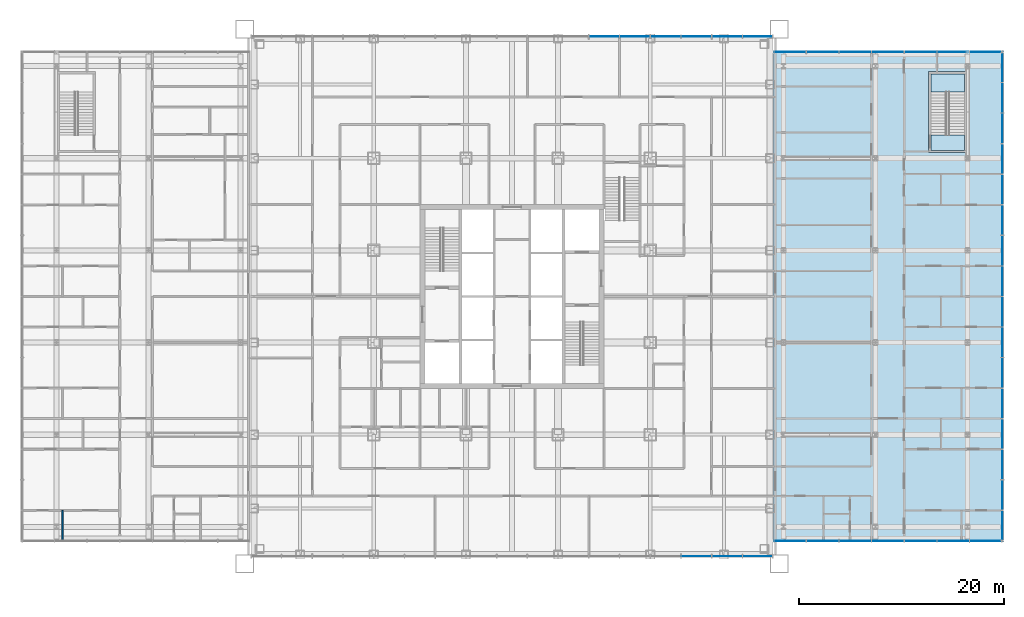
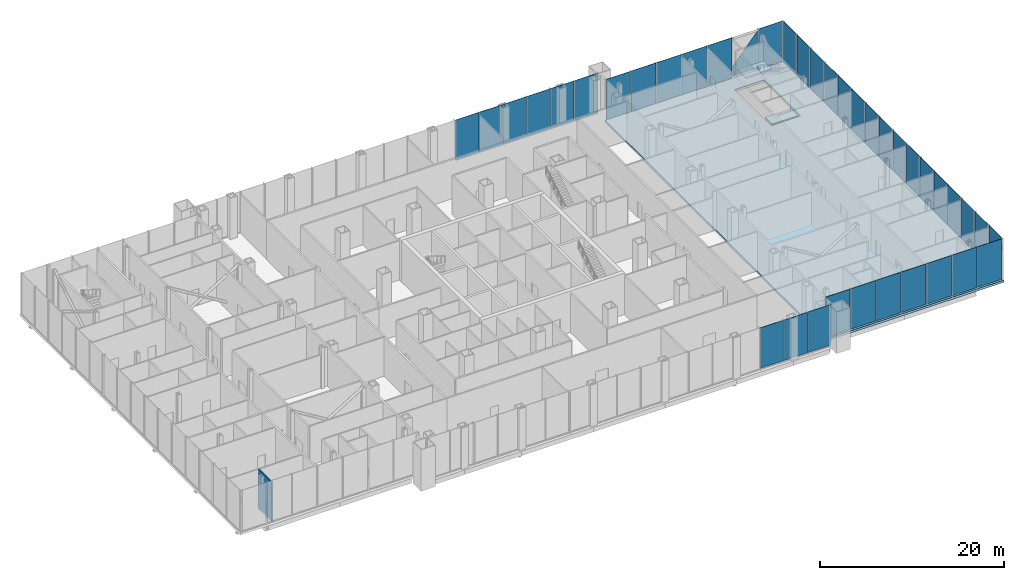
# One storey, part 11 of 25: 39 plates, 3 slabs, 1 wall, 6 elements without a shape of their own.
"""IFC4 building model written with IfcOpenShell, lengths in metres."""

from ifc_helpers import new_model, si_unit, direction, frame, frame_2d, origin, origin_2d, place, context, subcontext, project, spatial, polyline, rectangle, outline, extrude, material, layer, layer_set, type_object, element, aggregate, save


model = new_model("IFC4")

# Units and contexts
model_context = context("Model", 3, precision=1e-05, world=origin(), true_north=direction((0.0, 1.0)))
body_context = subcontext(model_context, "Body", "Model", "MODEL_VIEW")
ifc_project = project(units=[si_unit("LENGTHUNIT", "METRE"), si_unit("AREAUNIT", "SQUARE_METRE"), si_unit("VOLUMEUNIT", "CUBIC_METRE"), si_unit("PLANEANGLEUNIT", "RADIAN"), si_unit("MASSUNIT", "GRAM", prefix="KILO")], contexts=[model_context])

# Site, building, storey
site_placement = place(None, origin())
site = spatial("IfcSite", under=ifc_project, at=site_placement, CompositionType="ELEMENT")
building_placement = place(site_placement, origin())
building = spatial("IfcBuilding", under=site, at=building_placement, Name="Malebo Sky Hospital", CompositionType="ELEMENT")
storey_placement = place(building_placement, frame((0.0, 0.0, 11.0)))
storey = spatial("IfcBuildingStorey", under=building, at=storey_placement, Name="L02", CompositionType="ELEMENT", Elevation=11.0)

# Slab
ifc_material_1 = material(Name="Concrete C40/50", Category="concrete")
ifc_layer_1 = layer(ifc_material_1, 0.300048828125)
ifc_layer_set_1 = layer_set([ifc_layer_1], Name="COMPOSITE FLOOR SLAB 300")
slab_type_1 = type_object("IfcSlabType", Name="COMPOSITE FLOOR SLAB 300", PredefinedType="FLOOR", material=ifc_layer_set_1)
slab_1_placement = place(storey_placement, frame((0.0, 0.0, -0.300048828125)))
element("IfcSlab", 1, at=slab_1_placement, inside=storey, type_object=slab_type_1, Name="Floor slab L02 east wing", PredefinedType="FLOOR", context=body_context, shape_type="SweptSolid", body=[
    extrude(outline(polyline([(108.0, 38.0), (108.0, 86.0), (85.550048828125, 86.0), (85.550048828125, 38.0), (108.0, 38.0)]), holes=[polyline([(104.39990234375, 76.050048828125), (100.699951171875, 76.050048828125), (100.699951171875, 83.949951171875), (104.39990234375, 83.949951171875), (104.39990234375, 76.050048828125)])]), origin(), (0.0, 0.0, 1.0), 0.300048828125),
])

# Stair, slabs
stair_type = type_object("IfcStairType", Name="HALF-TURN STAIR 1500 R172", PredefinedType="HALF_TURN_STAIR", material=ifc_material_1)
stair_placement = place(storey_placement, origin())
stair = element("IfcStair", 2, at=stair_placement, inside=storey, type_object=stair_type, Name="Stair ES L02 type ST2", PredefinedType="HALF_TURN_STAIR")
ifc_layer_2 = layer(ifc_material_1, 0.199951171875)
ifc_layer_set_2 = layer_set([ifc_layer_2], Name="STAIR LANDING 200")
slab_type_2 = type_object("IfcSlabType", Name="STAIR LANDING 200", PredefinedType="LANDING", material=ifc_layer_set_2)
slab_2_placement = place(storey_placement, frame((0.0, 0.0, -0.199951171875)))
slab_2 = element("IfcSlab", 3, at=slab_2_placement, type_object=slab_type_2, Name="ES landing 1", PredefinedType="LANDING", context=body_context, shape_type="SweptSolid", body=[
    extrude(outline(polyline([(100.89990234375, 76.25), (104.199951171875, 76.25), (104.199951171875, 77.75), (100.89990234375, 77.75), (100.89990234375, 76.25)])), origin(), (0.0, 0.0, 1.0), 0.199951171875),
])
slab_3_placement = place(storey_placement, frame((0.0, 0.0, 2.550048828125)))
slab_3 = element("IfcSlab", 4, at=slab_3_placement, type_object=slab_type_2, Name="ES landing 2", PredefinedType="LANDING", context=body_context, shape_type="SweptSolid", body=[
    extrude(outline(polyline([(100.89990234375, 81.949951171875), (104.199951171875, 81.949951171875), (104.199951171875, 83.75), (100.89990234375, 83.75), (100.89990234375, 81.949951171875)])), origin(), (0.0, 0.0, 1.0), 0.199951171875),
])
aggregate(stair, [slab_2, slab_3])

# Curtain wall, plates
ifc_material_2 = material(Name="Anodised aluminium, natural silver", Category="aluminium")
ifc_layer_3 = layer(ifc_material_2, 0.25)
ifc_layer_set_3 = layer_set([ifc_layer_3], Name="PODIUM ENTRANCE BAY CURTAIN WALL")
curtain_wall_type_1 = type_object("IfcCurtainWallType", Name="PODIUM ENTRANCE BAY CURTAIN WALL", PredefinedType="NOTDEFINED", material=ifc_layer_set_3)
curtain_wall_1_placement = place(storey_placement, origin())
curtain_wall_1 = element("IfcCurtainWall", 5, at=curtain_wall_1_placement, inside=storey, type_object=curtain_wall_type_1, Name="BAY curtain wall BS", PredefinedType="NOTDEFINED")
ifc_material_3 = material(Name="Clear low-iron double glazing", Category="glass")
ifc_layer_4 = layer(ifc_material_3, 0.031982421875)
ifc_layer_set_4 = layer_set([ifc_layer_4], Name="VISION PANEL CLEAR 32")
plate_type = type_object("IfcPlateType", Name="VISION PANEL CLEAR 32", PredefinedType="CURTAIN_PANEL", material=ifc_layer_set_4)
plate_1_placement = place(storey_placement, frame((78.0, 36.625, 0.10009765625), z_axis=(0.0, 0.0, 1.0), x_axis=(1.0, 0.0, 0.0)))
plate_1 = element("IfcPlate", 6, at=plate_1_placement, type_object=plate_type, Name="Panel 15", PredefinedType="CURTAIN_PANEL", context=body_context, shape_type="SweptSolid", body=[
    extrude(rectangle(XDim=2.925048828125, YDim=0.031982421875, at=origin_2d()), origin(), (0.0, 0.0, 1.0), 5.389892578125),
])
plate_2_placement = place(storey_placement, frame((81.0, 36.625, 0.10009765625), z_axis=(0.0, 0.0, 1.0), x_axis=(1.0, 0.0, 0.0)))
plate_2 = element("IfcPlate", 7, at=plate_2_placement, type_object=plate_type, Name="Panel 16", PredefinedType="CURTAIN_PANEL", context=body_context, shape_type="SweptSolid", body=[
    extrude(rectangle(XDim=2.925048828125, YDim=0.031982421875, at=origin_2d()), origin(), (0.0, 0.0, 1.0), 5.389892578125),
])
plate_3_placement = place(storey_placement, frame((83.981201171875, 36.625, 0.10009765625), z_axis=(0.0, 0.0, 1.0), x_axis=(1.0, 0.0, 0.0)))
plate_3 = element("IfcPlate", 8, at=plate_3_placement, type_object=plate_type, Name="Panel 17", PredefinedType="CURTAIN_PANEL", context=body_context, shape_type="SweptSolid", body=[
    extrude(rectangle(XDim=2.887451171875, YDim=0.031982421875, at=origin_2d()), origin(), (0.0, 0.0, 1.0), 5.389892578125),
])
aggregate(curtain_wall_1, [plate_1, plate_2, plate_3])

curtain_wall_2_placement = place(storey_placement, origin())
curtain_wall_2 = element("IfcCurtainWall", 9, at=curtain_wall_2_placement, inside=storey, type_object=curtain_wall_type_1, Name="BAY curtain wall BN", PredefinedType="NOTDEFINED")
plate_4_placement = place(storey_placement, frame((83.981201171875, 87.375, 0.10009765625), z_axis=(0.0, 0.0, 1.0), x_axis=(-1.0, 0.0, 0.0)))
plate_4 = element("IfcPlate", 10, at=plate_4_placement, type_object=plate_type, Name="Panel 1", PredefinedType="CURTAIN_PANEL", context=body_context, shape_type="SweptSolid", body=[
    extrude(rectangle(XDim=2.887451171875, YDim=0.031982421875, at=origin_2d()), origin(), (0.0, 0.0, 1.0), 5.389892578125),
])
plate_5_placement = place(storey_placement, frame((81.0, 87.375, 0.10009765625), z_axis=(0.0, 0.0, 1.0), x_axis=(-1.0, 0.0, 0.0)))
plate_5 = element("IfcPlate", 11, at=plate_5_placement, type_object=plate_type, Name="Panel 2", PredefinedType="CURTAIN_PANEL", context=body_context, shape_type="SweptSolid", body=[
    extrude(rectangle(XDim=2.925048828125, YDim=0.031982421875, at=origin_2d()), origin(), (0.0, 0.0, 1.0), 5.389892578125),
])
plate_6_placement = place(storey_placement, frame((78.0, 87.375, 0.10009765625), z_axis=(0.0, 0.0, 1.0), x_axis=(-1.0, 0.0, 0.0)))
plate_6 = element("IfcPlate", 12, at=plate_6_placement, type_object=plate_type, Name="Panel 3", PredefinedType="CURTAIN_PANEL", context=body_context, shape_type="SweptSolid", body=[
    extrude(rectangle(XDim=2.925048828125, YDim=0.031982421875, at=origin_2d()), origin(), (0.0, 0.0, 1.0), 5.389892578125),
])
plate_7_placement = place(storey_placement, frame((75.0, 87.375, 0.10009765625), z_axis=(0.0, 0.0, 1.0), x_axis=(-1.0, 0.0, 0.0)))
plate_7 = element("IfcPlate", 13, at=plate_7_placement, type_object=plate_type, Name="Panel 4", PredefinedType="CURTAIN_PANEL", context=body_context, shape_type="SweptSolid", body=[
    extrude(rectangle(XDim=2.925048828125, YDim=0.031982421875, at=origin_2d()), origin(), (0.0, 0.0, 1.0), 5.389892578125),
])
plate_8_placement = place(storey_placement, frame((72.0, 87.375, 0.10009765625), z_axis=(0.0, 0.0, 1.0), x_axis=(-1.0, 0.0, 0.0)))
plate_8 = element("IfcPlate", 14, at=plate_8_placement, type_object=plate_type, Name="Panel 5", PredefinedType="CURTAIN_PANEL", context=body_context, shape_type="SweptSolid", body=[
    extrude(rectangle(XDim=2.925048828125, YDim=0.031982421875, at=origin_2d()), origin(), (0.0, 0.0, 1.0), 5.389892578125),
])
plate_9_placement = place(storey_placement, frame((69.0, 87.375, 0.10009765625), z_axis=(0.0, 0.0, 1.0), x_axis=(-1.0, 0.0, 0.0)))
plate_9 = element("IfcPlate", 15, at=plate_9_placement, type_object=plate_type, Name="Panel 6", PredefinedType="CURTAIN_PANEL", context=body_context, shape_type="SweptSolid", body=[
    extrude(rectangle(XDim=2.925048828125, YDim=0.031982421875, at=origin_2d()), origin(), (0.0, 0.0, 1.0), 5.389892578125),
])
aggregate(curtain_wall_2, [plate_4, plate_5, plate_6, plate_7, plate_8, plate_9])

ifc_layer_5 = layer(ifc_material_2, 0.25)
ifc_layer_set_5 = layer_set([ifc_layer_5], Name="PODIUM CURTAIN WALL")
curtain_wall_type_2 = type_object("IfcCurtainWallType", Name="PODIUM CURTAIN WALL", PredefinedType="NOTDEFINED", material=ifc_layer_set_5)
curtain_wall_3_placement = place(storey_placement, origin())
curtain_wall_3 = element("IfcCurtainWall", 16, at=curtain_wall_3_placement, inside=storey, type_object=curtain_wall_type_2, Name="POD curtain wall ES", PredefinedType="NOTDEFINED")
plate_10_placement = place(storey_placement, frame((87.163330078125, 38.125, 0.10009765625), z_axis=(0.0, 0.0, 1.0), x_axis=(1.0, 0.0, 0.0)))
plate_10 = element("IfcPlate", 17, at=plate_10_placement, type_object=plate_type, Name="Panel 1", PredefinedType="CURTAIN_PANEL", context=body_context, shape_type="SweptSolid", body=[
    extrude(rectangle(XDim=3.076904296875, YDim=0.031982421875, at=origin_2d()), origin(), (0.0, 0.0, 1.0), 5.389892578125),
])
plate_11_placement = place(storey_placement, frame((90.333984375, 38.125, 0.10009765625), z_axis=(0.0, 0.0, 1.0), x_axis=(1.0, 0.0, 0.0)))
plate_11 = element("IfcPlate", 18, at=plate_11_placement, type_object=plate_type, Name="Panel 2", PredefinedType="CURTAIN_PANEL", context=body_context, shape_type="SweptSolid", body=[
    extrude(rectangle(XDim=3.1142578125, YDim=0.031982421875, at=origin_2d()), origin(), (0.0, 0.0, 1.0), 5.389892578125),
])
plate_12_placement = place(storey_placement, frame((93.523193359375, 38.125, 0.10009765625), z_axis=(0.0, 0.0, 1.0), x_axis=(1.0, 0.0, 0.0)))
plate_12 = element("IfcPlate", 19, at=plate_12_placement, type_object=plate_type, Name="Panel 3", PredefinedType="CURTAIN_PANEL", context=body_context, shape_type="SweptSolid", body=[
    extrude(rectangle(XDim=3.1142578125, YDim=0.031982421875, at=origin_2d()), origin(), (0.0, 0.0, 1.0), 5.389892578125),
])
plate_13_placement = place(storey_placement, frame((96.71240234375, 38.125, 0.10009765625), z_axis=(0.0, 0.0, 1.0), x_axis=(1.0, 0.0, 0.0)))
plate_13 = element("IfcPlate", 20, at=plate_13_placement, type_object=plate_type, Name="Panel 4", PredefinedType="CURTAIN_PANEL", context=body_context, shape_type="SweptSolid", body=[
    extrude(rectangle(XDim=3.1142578125, YDim=0.031982421875, at=origin_2d()), origin(), (0.0, 0.0, 1.0), 5.389892578125),
])
plate_14_placement = place(storey_placement, frame((99.90185546875, 38.125, 0.10009765625), z_axis=(0.0, 0.0, 1.0), x_axis=(1.0, 0.0, 0.0)))
plate_14 = element("IfcPlate", 21, at=plate_14_placement, type_object=plate_type, Name="Panel 5", PredefinedType="CURTAIN_PANEL", context=body_context, shape_type="SweptSolid", body=[
    extrude(rectangle(XDim=3.1142578125, YDim=0.031982421875, at=origin_2d()), origin(), (0.0, 0.0, 1.0), 5.389892578125),
])
plate_15_placement = place(storey_placement, frame((103.091064453125, 38.125, 0.10009765625), z_axis=(0.0, 0.0, 1.0), x_axis=(1.0, 0.0, 0.0)))
plate_15 = element("IfcPlate", 22, at=plate_15_placement, type_object=plate_type, Name="Panel 6", PredefinedType="CURTAIN_PANEL", context=body_context, shape_type="SweptSolid", body=[
    extrude(rectangle(XDim=3.1142578125, YDim=0.031982421875, at=origin_2d()), origin(), (0.0, 0.0, 1.0), 5.389892578125),
])
plate_16_placement = place(storey_placement, frame((106.26171875, 38.125, 0.10009765625), z_axis=(0.0, 0.0, 1.0), x_axis=(1.0, 0.0, 0.0)))
plate_16 = element("IfcPlate", 23, at=plate_16_placement, type_object=plate_type, Name="Panel 7", PredefinedType="CURTAIN_PANEL", context=body_context, shape_type="SweptSolid", body=[
    extrude(rectangle(XDim=3.076904296875, YDim=0.031982421875, at=origin_2d()), origin(), (0.0, 0.0, 1.0), 5.389892578125),
])
aggregate(curtain_wall_3, [plate_10, plate_11, plate_12, plate_13, plate_14, plate_15, plate_16])

curtain_wall_4_placement = place(storey_placement, origin())
curtain_wall_4 = element("IfcCurtainWall", 24, at=curtain_wall_4_placement, inside=storey, type_object=curtain_wall_type_2, Name="POD curtain wall EE", PredefinedType="NOTDEFINED")
plate_17_placement = place(storey_placement, frame((107.875, 39.635986328125, 0.10009765625), z_axis=(0.0, 0.0, 1.0), x_axis=(0.0, 1.0, 0.0)))
plate_17 = element("IfcPlate", 25, at=plate_17_placement, type_object=plate_type, Name="Panel 1", PredefinedType="CURTAIN_PANEL", context=body_context, shape_type="SweptSolid", body=[
    extrude(rectangle(XDim=2.871826171875, YDim=0.031982421875, at=origin_2d()), origin(), (0.0, 0.0, 1.0), 5.389892578125),
])
plate_18_placement = place(storey_placement, frame((107.875, 42.6015625, 0.10009765625), z_axis=(0.0, 0.0, 1.0), x_axis=(0.0, 1.0, 0.0)))
plate_18 = element("IfcPlate", 26, at=plate_18_placement, type_object=plate_type, Name="Panel 2", PredefinedType="CURTAIN_PANEL", context=body_context, shape_type="SweptSolid", body=[
    extrude(rectangle(XDim=2.909423828125, YDim=0.031982421875, at=origin_2d()), origin(), (0.0, 0.0, 1.0), 5.389892578125),
])
plate_19_placement = place(storey_placement, frame((107.875, 45.5859375, 0.10009765625), z_axis=(0.0, 0.0, 1.0), x_axis=(0.0, 1.0, 0.0)))
plate_19 = element("IfcPlate", 27, at=plate_19_placement, type_object=plate_type, Name="Panel 3", PredefinedType="CURTAIN_PANEL", context=body_context, shape_type="SweptSolid", body=[
    extrude(rectangle(XDim=2.9091796875, YDim=0.031982421875, at=origin_2d()), origin(), (0.0, 0.0, 1.0), 5.389892578125),
])
plate_20_placement = place(storey_placement, frame((107.875, 48.5703125, 0.10009765625), z_axis=(0.0, 0.0, 1.0), x_axis=(0.0, 1.0, 0.0)))
plate_20 = element("IfcPlate", 28, at=plate_20_placement, type_object=plate_type, Name="Panel 4", PredefinedType="CURTAIN_PANEL", context=body_context, shape_type="SweptSolid", body=[
    extrude(rectangle(XDim=2.909423828125, YDim=0.031982421875, at=origin_2d()), origin(), (0.0, 0.0, 1.0), 5.389892578125),
])
plate_21_placement = place(storey_placement, frame((107.875, 51.5546875, 0.10009765625), z_axis=(0.0, 0.0, 1.0), x_axis=(0.0, 1.0, 0.0)))
plate_21 = element("IfcPlate", 29, at=plate_21_placement, type_object=plate_type, Name="Panel 5", PredefinedType="CURTAIN_PANEL", context=body_context, shape_type="SweptSolid", body=[
    extrude(rectangle(XDim=2.909423828125, YDim=0.031982421875, at=origin_2d()), origin(), (0.0, 0.0, 1.0), 5.389892578125),
])
plate_22_placement = place(storey_placement, frame((107.875, 54.5390625, 0.10009765625), z_axis=(0.0, 0.0, 1.0), x_axis=(0.0, 1.0, 0.0)))
plate_22 = element("IfcPlate", 30, at=plate_22_placement, type_object=plate_type, Name="Panel 6", PredefinedType="CURTAIN_PANEL", context=body_context, shape_type="SweptSolid", body=[
    extrude(rectangle(XDim=2.9091796875, YDim=0.031982421875, at=origin_2d()), origin(), (0.0, 0.0, 1.0), 5.389892578125),
])
plate_23_placement = place(storey_placement, frame((107.875, 57.5234375, 0.10009765625), z_axis=(0.0, 0.0, 1.0), x_axis=(0.0, 1.0, 0.0)))
plate_23 = element("IfcPlate", 31, at=plate_23_placement, type_object=plate_type, Name="Panel 7", PredefinedType="CURTAIN_PANEL", context=body_context, shape_type="SweptSolid", body=[
    extrude(rectangle(XDim=2.909423828125, YDim=0.031982421875, at=origin_2d()), origin(), (0.0, 0.0, 1.0), 5.389892578125),
])
plate_24_placement = place(storey_placement, frame((107.875, 60.5078125, 0.10009765625), z_axis=(0.0, 0.0, 1.0), x_axis=(0.0, 1.0, 0.0)))
plate_24 = element("IfcPlate", 32, at=plate_24_placement, type_object=plate_type, Name="Panel 8", PredefinedType="CURTAIN_PANEL", context=body_context, shape_type="SweptSolid", body=[
    extrude(rectangle(XDim=2.909423828125, YDim=0.031982421875, at=origin_2d()), origin(), (0.0, 0.0, 1.0), 5.389892578125),
])
plate_25_placement = place(storey_placement, frame((107.875, 63.4921875, 0.10009765625), z_axis=(0.0, 0.0, 1.0), x_axis=(0.0, 1.0, 0.0)))
plate_25 = element("IfcPlate", 33, at=plate_25_placement, type_object=plate_type, Name="Panel 9", PredefinedType="CURTAIN_PANEL", context=body_context, shape_type="SweptSolid", body=[
    extrude(rectangle(XDim=2.909423828125, YDim=0.031982421875, at=origin_2d()), origin(), (0.0, 0.0, 1.0), 5.389892578125),
])
plate_26_placement = place(storey_placement, frame((107.875, 66.4765625, 0.10009765625), z_axis=(0.0, 0.0, 1.0), x_axis=(0.0, 1.0, 0.0)))
plate_26 = element("IfcPlate", 34, at=plate_26_placement, type_object=plate_type, Name="Panel 10", PredefinedType="CURTAIN_PANEL", context=body_context, shape_type="SweptSolid", body=[
    extrude(rectangle(XDim=2.909423828125, YDim=0.031982421875, at=origin_2d()), origin(), (0.0, 0.0, 1.0), 5.389892578125),
])
plate_27_placement = place(storey_placement, frame((107.875, 69.4609375, 0.10009765625), z_axis=(0.0, 0.0, 1.0), x_axis=(0.0, 1.0, 0.0)))
plate_27 = element("IfcPlate", 35, at=plate_27_placement, type_object=plate_type, Name="Panel 11", PredefinedType="CURTAIN_PANEL", context=body_context, shape_type="SweptSolid", body=[
    extrude(rectangle(XDim=2.9091796875, YDim=0.031982421875, at=origin_2d()), origin(), (0.0, 0.0, 1.0), 5.389892578125),
])
plate_28_placement = place(storey_placement, frame((107.875, 72.4453125, 0.10009765625), z_axis=(0.0, 0.0, 1.0), x_axis=(0.0, 1.0, 0.0)))
plate_28 = element("IfcPlate", 36, at=plate_28_placement, type_object=plate_type, Name="Panel 12", PredefinedType="CURTAIN_PANEL", context=body_context, shape_type="SweptSolid", body=[
    extrude(rectangle(XDim=2.909423828125, YDim=0.031982421875, at=origin_2d()), origin(), (0.0, 0.0, 1.0), 5.389892578125),
])
plate_29_placement = place(storey_placement, frame((107.875, 75.4296875, 0.10009765625), z_axis=(0.0, 0.0, 1.0), x_axis=(0.0, 1.0, 0.0)))
plate_29 = element("IfcPlate", 37, at=plate_29_placement, type_object=plate_type, Name="Panel 13", PredefinedType="CURTAIN_PANEL", context=body_context, shape_type="SweptSolid", body=[
    extrude(rectangle(XDim=2.909423828125, YDim=0.031982421875, at=origin_2d()), origin(), (0.0, 0.0, 1.0), 5.389892578125),
])
plate_30_placement = place(storey_placement, frame((107.875, 78.4140625, 0.10009765625), z_axis=(0.0, 0.0, 1.0), x_axis=(0.0, 1.0, 0.0)))
plate_30 = element("IfcPlate", 38, at=plate_30_placement, type_object=plate_type, Name="Panel 14", PredefinedType="CURTAIN_PANEL", context=body_context, shape_type="SweptSolid", body=[
    extrude(rectangle(XDim=2.9091796875, YDim=0.031982421875, at=origin_2d()), origin(), (0.0, 0.0, 1.0), 5.389892578125),
])
plate_31_placement = place(storey_placement, frame((107.875, 81.3984375, 0.10009765625), z_axis=(0.0, 0.0, 1.0), x_axis=(0.0, 1.0, 0.0)))
plate_31 = element("IfcPlate", 39, at=plate_31_placement, type_object=plate_type, Name="Panel 15", PredefinedType="CURTAIN_PANEL", context=body_context, shape_type="SweptSolid", body=[
    extrude(rectangle(XDim=2.909423828125, YDim=0.031982421875, at=origin_2d()), origin(), (0.0, 0.0, 1.0), 5.389892578125),
])
plate_32_placement = place(storey_placement, frame((107.875, 84.364013671875, 0.10009765625), z_axis=(0.0, 0.0, 1.0), x_axis=(0.0, 1.0, 0.0)))
plate_32 = element("IfcPlate", 40, at=plate_32_placement, type_object=plate_type, Name="Panel 16", PredefinedType="CURTAIN_PANEL", context=body_context, shape_type="SweptSolid", body=[
    extrude(rectangle(XDim=2.871826171875, YDim=0.031982421875, at=origin_2d()), origin(), (0.0, 0.0, 1.0), 5.389892578125),
])
aggregate(curtain_wall_4, [plate_17, plate_18, plate_19, plate_20, plate_21, plate_22, plate_23, plate_24, plate_25, plate_26, plate_27, plate_28, plate_29, plate_30, plate_31, plate_32])

curtain_wall_5_placement = place(storey_placement, origin())
curtain_wall_5 = element("IfcCurtainWall", 41, at=curtain_wall_5_placement, inside=storey, type_object=curtain_wall_type_2, Name="POD curtain wall EN", PredefinedType="NOTDEFINED")
plate_33_placement = place(storey_placement, frame((106.26171875, 85.875, 0.10009765625), z_axis=(0.0, 0.0, 1.0), x_axis=(-1.0, 0.0, 0.0)))
plate_33 = element("IfcPlate", 42, at=plate_33_placement, type_object=plate_type, Name="Panel 1", PredefinedType="CURTAIN_PANEL", context=body_context, shape_type="SweptSolid", body=[
    extrude(rectangle(XDim=3.076904296875, YDim=0.031982421875, at=origin_2d()), origin(), (0.0, 0.0, 1.0), 5.389892578125),
])
plate_34_placement = place(storey_placement, frame((103.091064453125, 85.875, 0.2919921875), z_axis=(0.0, 0.0, 1.0), x_axis=(-1.0, 0.0, 0.0)))
plate_34 = element("IfcPlate", 43, at=plate_34_placement, type_object=plate_type, Name="Panel 2", PredefinedType="CURTAIN_PANEL", context=body_context, shape_type="SweptSolid", body=[
    extrude(outline(polyline([(-1.55712890625, 0.0), (1.55712890625, 0.0), (1.55712890625, 1.34814453125), (-1.55712890625, 4.997802734375), (-1.55712890625, 0.0)])), frame((0.0, 0.01611328125, 0.0), z_axis=(0.0, -1.0, 0.0), x_axis=(1.0, 0.0, 0.0)), (0.0, 0.0, 1.0), 0.031982421875),
])
plate_35_placement = place(storey_placement, frame((99.90185546875, 85.875, 0.10009765625), z_axis=(0.0, 0.0, 1.0), x_axis=(-1.0, 0.0, 0.0)))
plate_35 = element("IfcPlate", 44, at=plate_35_placement, type_object=plate_type, Name="Panel 3", PredefinedType="CURTAIN_PANEL", context=body_context, shape_type="SweptSolid", body=[
    extrude(rectangle(XDim=3.1142578125, YDim=0.031982421875, at=origin_2d()), origin(), (0.0, 0.0, 1.0), 5.389892578125),
])
plate_36_placement = place(storey_placement, frame((96.71240234375, 85.875, 0.10009765625), z_axis=(0.0, 0.0, 1.0), x_axis=(-1.0, 0.0, 0.0)))
plate_36 = element("IfcPlate", 45, at=plate_36_placement, type_object=plate_type, Name="Panel 4", PredefinedType="CURTAIN_PANEL", context=body_context, shape_type="SweptSolid", body=[
    extrude(rectangle(XDim=3.1142578125, YDim=0.031982421875, at=origin_2d()), origin(), (0.0, 0.0, 1.0), 5.389892578125),
])
plate_37_placement = place(storey_placement, frame((93.523193359375, 85.875, 0.10009765625), z_axis=(0.0, 0.0, 1.0), x_axis=(-1.0, 0.0, 0.0)))
plate_37 = element("IfcPlate", 46, at=plate_37_placement, type_object=plate_type, Name="Panel 5", PredefinedType="CURTAIN_PANEL", context=body_context, shape_type="SweptSolid", body=[
    extrude(rectangle(XDim=3.1142578125, YDim=0.031982421875, at=origin_2d()), origin(), (0.0, 0.0, 1.0), 5.389892578125),
])
plate_38_placement = place(storey_placement, frame((90.333984375, 85.875, 0.10009765625), z_axis=(0.0, 0.0, 1.0), x_axis=(-1.0, 0.0, 0.0)))
plate_38 = element("IfcPlate", 47, at=plate_38_placement, type_object=plate_type, Name="Panel 6", PredefinedType="CURTAIN_PANEL", context=body_context, shape_type="SweptSolid", body=[
    extrude(rectangle(XDim=3.1142578125, YDim=0.031982421875, at=origin_2d()), origin(), (0.0, 0.0, 1.0), 5.389892578125),
])
plate_39_placement = place(storey_placement, frame((87.163330078125, 85.875, 0.10009765625), z_axis=(0.0, 0.0, 1.0), x_axis=(-1.0, 0.0, 0.0)))
plate_39 = element("IfcPlate", 48, at=plate_39_placement, type_object=plate_type, Name="Panel 7", PredefinedType="CURTAIN_PANEL", context=body_context, shape_type="SweptSolid", body=[
    extrude(rectangle(XDim=3.076904296875, YDim=0.031982421875, at=origin_2d()), origin(), (0.0, 0.0, 1.0), 5.389892578125),
])
aggregate(curtain_wall_5, [plate_33, plate_34, plate_35, plate_36, plate_37, plate_38, plate_39])

# Wall
ifc_material_4 = material(Name="Gypsum board on steel studs", Category="steel")
ifc_layer_6 = layer(ifc_material_4, 0.14990234375)
ifc_layer_set_6 = layer_set([ifc_layer_6], Name="PARTITION 150")
wall_type = type_object("IfcWallType", Name="PARTITION 150", PredefinedType="PARTITIONING", material=ifc_layer_set_6)
wall_placement = place(storey_placement, frame((16.093017578125, 38.14990234375, 0.0), z_axis=(0.0, 0.0, 1.0), x_axis=(0.0, 1.0, 0.0)))
element("IfcWall", 49, at=wall_placement, inside=storey, type_object=wall_type, Name="Partition 150 WOV08", PredefinedType="PARTITIONING", context=body_context, shape_type="SweptSolid", body=[
    extrude(rectangle(XDim=2.95947265625, YDim=0.14990234375, at=frame_2d((1.479736328125, 0.0))), origin(), (0.0, 0.0, 1.0), 5.199951171875),
])

save(model, "model.ifc")
